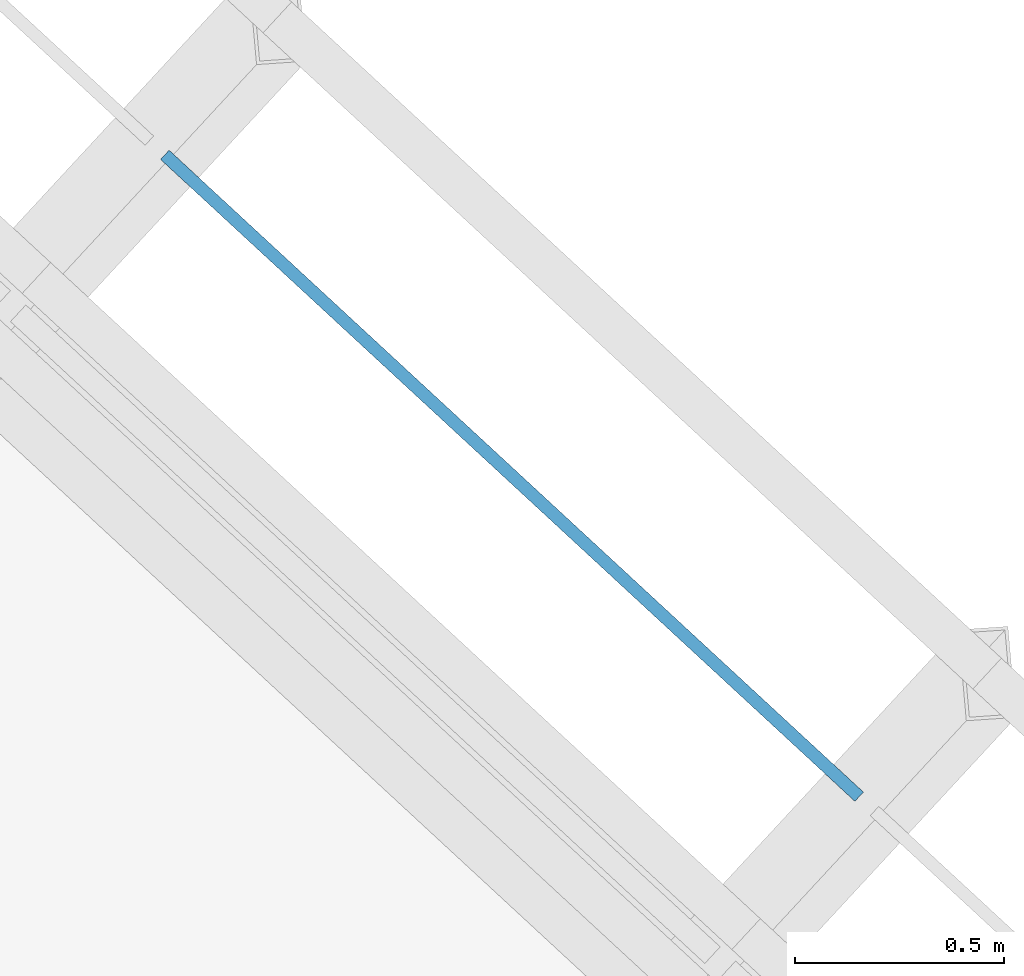
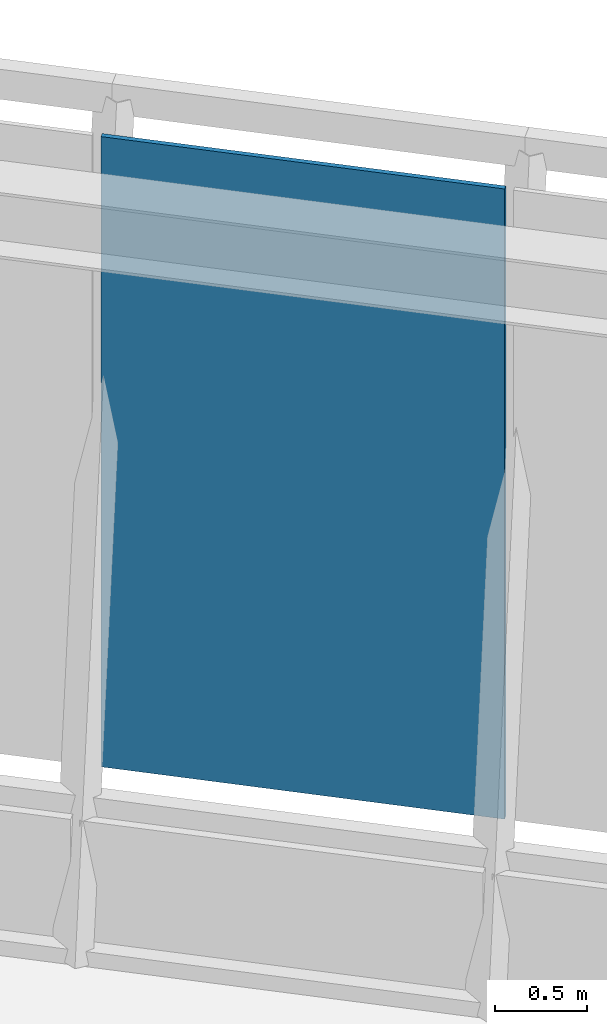
# One storey, part 66 of 90: 1 plate, 1 element without a shape of its own.
"""IFC4 building model written with IfcOpenShell, lengths in metres."""

import ifcopenshell
import ifcopenshell.guid

model = None  # the IFC model being written
_history = None  # IfcOwnerHistory: only IFC2X3 demands one
_inside = {}  # id of a spatial element -> (the spatial element, [elements in it])
_under = {}  # id of a project, library or spatial element -> (it, [spatial elements below it])
_declared = {}  # id of a project -> (the project, [libraries it declares])
_typed = {}  # id of a type object -> (the type object, [elements of that type])
_made_of = {}  # id of a material, layer set ... -> (it, [elements and type objects made of it])


def new_model(schema):
    """Start an empty IFC model of exactly this schema.

    Asked for "IFC4X3", IfcOpenShell would pick the latest addendum, in which some entities
    have other attributes; the version numbers below select the first issue.
    IFC2X3 requires an IfcOwnerHistory on every rooted entity: one is made here for all.
    """
    global model, _history
    if schema == "IFC4X3":
        model = ifcopenshell.file(schema_version=(4, 3, 0, 0))
    else:
        model = ifcopenshell.file(schema=schema)
    _inside.clear()
    _under.clear()
    _declared.clear()
    _typed.clear()
    _made_of.clear()
    _history = None
    if model.schema == "IFC2X3":
        org = make("IfcOrganization", Name="unknown")
        user = make(
            "IfcPersonAndOrganization",
            ThePerson=make("IfcPerson", FamilyName="unknown"),
            TheOrganization=org,
        )
        app = make(
            "IfcApplication",
            ApplicationDeveloper=org,
            Version="unknown",
            ApplicationFullName="unknown",
            ApplicationIdentifier="unknown",
        )
        _history = make(
            "IfcOwnerHistory",
            OwningUser=user,
            OwningApplication=app,
            ChangeAction="ADDED",
            CreationDate=0,
        )
    return model


def make(cls, **values):
    """One entity of the class cls with the attributes given. An attribute that is None is left unset."""
    return model.create_entity(
        cls, **{name: value for name, value in values.items() if value is not None}
    )


def rooted(cls, **values):
    """An entity with a GlobalId (a new one), such as an element, a storey or a relation."""
    return make(cls, GlobalId=ifcopenshell.guid.new(), OwnerHistory=_history, **values)


def si_unit(unit_type, name, prefix=None):
    """IfcSIUnit, for example si_unit("LENGTHUNIT", "METRE", prefix="MILLI")."""
    return make("IfcSIUnit", UnitType=unit_type, Prefix=prefix, Name=name)


def assignment(units):
    """IfcUnitAssignment: the units of a project."""
    return None if units is None else make("IfcUnitAssignment", Units=units)


def point(xyz):
    """IfcCartesianPoint."""
    return None if xyz is None else make("IfcCartesianPoint", Coordinates=xyz)


def direction(xyz):
    """IfcDirection."""
    return None if xyz is None else make("IfcDirection", DirectionRatios=xyz)


def frame(location, z_axis=None, x_axis=None):
    """IfcAxis2Placement3D, a coordinate frame: its origin and axes. An axis left out is left unset."""
    return make(
        "IfcAxis2Placement3D",
        Location=point(location),
        Axis=direction(z_axis),
        RefDirection=direction(x_axis),
    )


def frame_2d(location, x_axis=None):
    """IfcAxis2Placement2D, a coordinate frame in the plane: its origin and x axis."""
    return make(
        "IfcAxis2Placement2D", Location=point(location), RefDirection=direction(x_axis)
    )


def origin():
    """The frame at (0, 0, 0) with its axes left unset."""
    return frame((0.0, 0.0, 0.0))


def origin_2d():
    """The frame at (0, 0) in the plane with its x axis left unset."""
    return frame_2d((0.0, 0.0))


def place(relative_to, where):
    """IfcLocalPlacement: puts the frame where relative to a parent placement (None: the world)."""
    return make(
        "IfcLocalPlacement", PlacementRelTo=relative_to, RelativePlacement=where
    )


def context(
    kind, dimensions, precision=None, world=None, true_north=None, identifier=None
):
    """IfcGeometricRepresentationContext, for example the 3D "Model" context."""
    return make(
        "IfcGeometricRepresentationContext",
        ContextIdentifier=identifier,
        ContextType=kind,
        CoordinateSpaceDimension=dimensions,
        Precision=precision,
        WorldCoordinateSystem=world,
        TrueNorth=true_north,
    )


def subcontext(parent, identifier, kind, view, scale=None):
    """IfcGeometricRepresentationSubContext, for example "Body" below "Model"."""
    return make(
        "IfcGeometricRepresentationSubContext",
        ContextIdentifier=identifier,
        ContextType=kind,
        ParentContext=parent,
        TargetScale=scale,
        TargetView=view,
    )


def project(units=None, contexts=None):
    """IfcProject with its units and contexts."""
    return rooted(
        "IfcProject",
        Name="project",
        RepresentationContexts=contexts,
        UnitsInContext=assignment(units),
    )


def spatial(cls, under=None, at=None, **own):
    """A site, building, storey or space (cls), placed at a placement, below another one or the project."""
    s = rooted(cls, ObjectPlacement=at, **own)
    if under is not None:
        _under.setdefault(under.id(), (under, []))[1].append(s)
    return s


def profile(cls, at=None, kind="AREA", **sizes):
    """A parametric profile (cls). Its sizes go by their IFC names, for example OverallWidth=200.0."""
    return make(cls, ProfileType=kind, Position=at, **sizes)


def rectangle(**sizes):
    """IfcRectangleProfileDef."""
    return profile("IfcRectangleProfileDef", **sizes)


def extrude(swept, where, along, depth):
    """IfcExtrudedAreaSolid: the profile swept, set in the frame where, extruded along a direction by depth."""
    return make(
        "IfcExtrudedAreaSolid",
        SweptArea=swept,
        Position=where,
        ExtrudedDirection=direction(along),
        Depth=depth,
    )


def shape(context_of_items, identifier, shape_type, items):
    """IfcShapeRepresentation: the items that make up one representation, for example the "Body"."""
    return make(
        "IfcShapeRepresentation",
        ContextOfItems=context_of_items,
        RepresentationIdentifier=identifier,
        RepresentationType=shape_type,
        Items=items,
    )


def material(Name=None, Category=None):
    """IfcMaterial."""
    return make("IfcMaterial", Name=Name, Category=Category)


def layer(
    of_material, thickness, ventilated=None, Name=None, Category=None, Priority=None
):
    """IfcMaterialLayer: one layer of a wall or slab, of a material (None: an air gap)."""
    return make(
        "IfcMaterialLayer",
        Material=of_material,
        LayerThickness=thickness,
        IsVentilated=ventilated,
        Name=Name,
        Category=Category,
        Priority=Priority,
    )


def layer_set(layers, Name=None):
    """IfcMaterialLayerSet."""
    return make("IfcMaterialLayerSet", MaterialLayers=layers, LayerSetName=Name)


def made_of(thing, what):
    """Note that an element or type object is made of a material, layer set ...; save() writes the relation."""
    if what is not None:
        _made_of.setdefault(what.id(), (what, []))[1].append(thing)
    return thing


def type_object(cls, material=None, **own):
    """A type object (cls), such as IfcWallType, which elements share."""
    return made_of(rooted(cls, **own), material)


def element(
    cls,
    number,
    at=None,
    inside=None,
    cuts=None,
    type_object=None,
    material=None,
    context=None,
    identifier="Body",
    shape_type=None,
    held_by="IfcProductDefinitionShape",
    body=None,
    shapes=None,
    **own,
):
    """One element of the class cls, such as IfcWall. Its Tag is "e" and its number.

    at: its placement. inside: the storey or other place that contains it. cuts: it is an
    opening in that element (IfcRelVoidsElement). A single representation is given by context,
    identifier, shape_type and body (its items); several are given by shapes. held_by: the class
    of the entity that holds the representations. save() writes the other relations.
    """
    e = rooted(cls, Tag="e%d" % number, ObjectPlacement=at, **own)
    if body is not None:
        shapes = [shape(context, identifier, shape_type, body)]
    if shapes is not None:
        e.Representation = make(held_by, Representations=shapes)
    if inside is not None:
        _inside.setdefault(inside.id(), (inside, []))[1].append(e)
    if cuts is not None:
        rooted(
            "IfcRelVoidsElement", RelatingBuildingElement=cuts, RelatedOpeningElement=e
        )
    if type_object is not None:
        _typed.setdefault(type_object.id(), (type_object, []))[1].append(e)
    return made_of(e, material)


def aggregate(whole, parts):
    """IfcRelAggregates: a whole, such as a stair, and the parts it consists of."""
    return rooted("IfcRelAggregates", RelatingObject=whole, RelatedObjects=parts)


def save(model, path):
    """Write the relations noted so far, then the file.

    IfcRelAggregates (storeys below a building ...), IfcRelContainedInSpatialStructure (elements
    in a storey), IfcRelDefinesByType, IfcRelAssociatesMaterial and IfcRelDeclares: one each for
    every whole, place, type object, material and project.
    """
    for whole, parts in _under.values():
        aggregate(whole, parts)
    for where, things in _inside.values():
        rooted(
            "IfcRelContainedInSpatialStructure",
            RelatedElements=things,
            RelatingStructure=where,
        )
    for kind, things in _typed.values():
        rooted("IfcRelDefinesByType", RelatedObjects=things, RelatingType=kind)
    for what, things in _made_of.values():
        rooted("IfcRelAssociatesMaterial", RelatedObjects=things, RelatingMaterial=what)
    for by, libraries in _declared.values():
        rooted("IfcRelDeclares", RelatingContext=by, RelatedDefinitions=libraries)
    model.write(path)


model = new_model("IFC4")

# Units and contexts
model_context = context("Model", 3, precision=1e-05, world=origin(), true_north=direction((0.0, 1.0)))
body_context = subcontext(model_context, "Body", "Model", "MODEL_VIEW")
ifc_project = project(units=[si_unit("LENGTHUNIT", "METRE"), si_unit("AREAUNIT", "SQUARE_METRE"), si_unit("VOLUMEUNIT", "CUBIC_METRE"), si_unit("PLANEANGLEUNIT", "RADIAN"), si_unit("MASSUNIT", "GRAM", prefix="KILO")], contexts=[model_context])

# Site, building, storey
site_placement = place(None, origin())
site = spatial("IfcSite", under=ifc_project, at=site_placement, CompositionType="ELEMENT")
building_placement = place(site_placement, origin())
building = spatial("IfcBuilding", under=site, at=building_placement, Name="Linyun Crest Stadium", CompositionType="ELEMENT")
storey_placement = place(building_placement, frame((0.0, 0.0, 21.0)))
storey = spatial("IfcBuildingStorey", under=building, at=storey_placement, Name="L05", CompositionType="ELEMENT", Elevation=21.0)

# Curtain wall, plate
ifc_material_1 = material(Name="Verdigris steel and low-E curtain wall assembly", Category="steel")
curtain_wall_type = type_object("IfcCurtainWallType", Name="MCW04", PredefinedType="NOTDEFINED", material=ifc_material_1)
curtain_wall_placement = place(storey_placement, origin())
curtain_wall = element("IfcCurtainWall", 1, at=curtain_wall_placement, inside=storey, type_object=curtain_wall_type, Name="CWR-049", PredefinedType="NOTDEFINED")
ifc_material_2 = material(Name="Acoustic laminated low-E broadcast glass", Category="glass")
ifc_layer = layer(ifc_material_2, 0.030029296875)
ifc_layer_set = layer_set([ifc_layer], Name="Acoustic laminated low-E broadcast glass")
plate_type = type_object("IfcPlateType", Name="GP02", PredefinedType="CURTAIN_PANEL", material=ifc_layer_set)
plate_placement = place(storey_placement, frame((87.486083984375, 96.30810546875, 0.88232421875), z_axis=(0.0, 0.0, 1.0), x_axis=(-0.734298814372, 0.678826377811, 0.0)))
plate = element("IfcPlate", 2, at=plate_placement, type_object=plate_type, Name="CWR-049 panel 2.2", PredefinedType="CURTAIN_PANEL", context=body_context, shape_type="SweptSolid", body=[
    extrude(rectangle(XDim=2.2568359375, YDim=0.030029296875, at=origin_2d()), origin(), (0.0, 0.0, 1.0), 4.1953125),
])
aggregate(curtain_wall, [plate])

save(model, "model.ifc")
